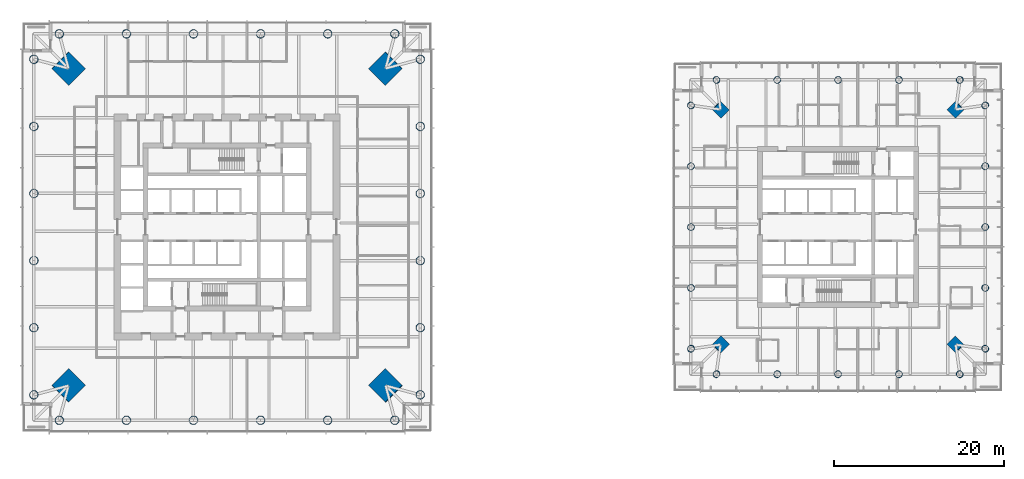
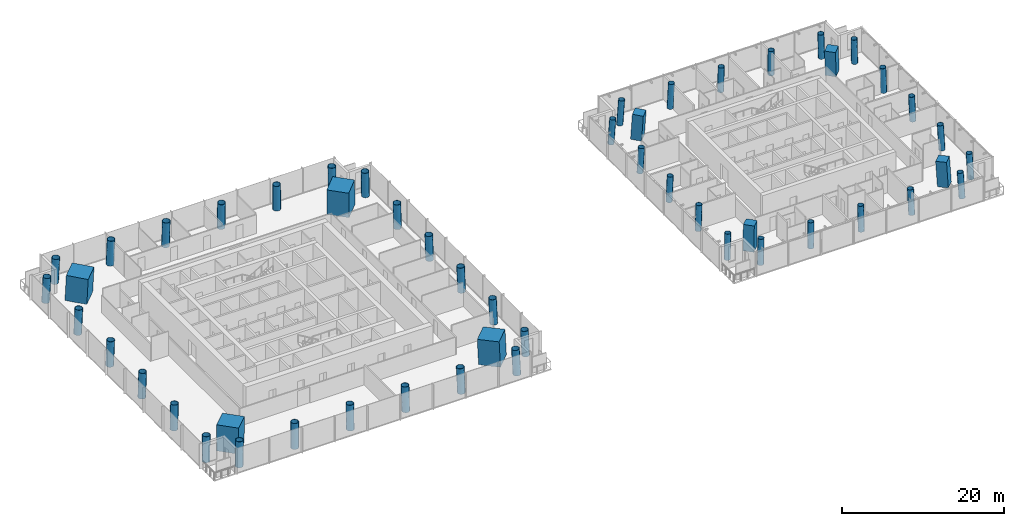
# One storey, part 1 of 21: 52 columns.
"""IFC4 building model written with IfcOpenShell, lengths in metres."""

from ifc_helpers import new_model, si_unit, direction, frame, origin, origin_2d, place, context, subcontext, project, spatial, rectangle, hollow_circle, extrude, material, material_profile, profile_set, type_object, element, save


model = new_model("IFC4")

# Units and contexts
model_context = context("Model", 3, precision=1e-05, world=origin(), true_north=direction((0.0, 1.0)))
body_context = subcontext(model_context, "Body", "Model", "MODEL_VIEW")
ifc_project = project(units=[si_unit("LENGTHUNIT", "METRE"), si_unit("AREAUNIT", "SQUARE_METRE"), si_unit("VOLUMEUNIT", "CUBIC_METRE"), si_unit("PLANEANGLEUNIT", "RADIAN"), si_unit("MASSUNIT", "GRAM", prefix="KILO")], contexts=[model_context])

# Site, building, storey
site_placement = place(None, origin())
site = spatial("IfcSite", under=ifc_project, at=site_placement, CompositionType="ELEMENT")
building_placement = place(site_placement, origin())
building = spatial("IfcBuilding", under=site, at=building_placement, Name="Ostroluk Exchange", CompositionType="ELEMENT")
storey_placement = place(building_placement, frame((0.0, 0.0, 59.0)))
storey = spatial("IfcBuildingStorey", under=building, at=storey_placement, Name="L14", CompositionType="ELEMENT", Elevation=59.0)

# Columns
ifc_material_1 = material(Name="Concrete C50/60", Category="concrete")
ifc_material_profile_1 = material_profile(ifc_material_1, rectangle(XDim=1.39990234375, YDim=1.39990234375, at=origin_2d()), Name="RC 1400x1400")
ifc_profile_set_1 = profile_set([ifc_material_profile_1], Name="Concrete C50/60")
column_type_1 = type_object("IfcColumnType", Name="Mega column RC 1400x1400", PredefinedType="COLUMN", material=ifc_profile_set_1)
for number, where, z_axis, x_axis, name in (
    (1, (130.862060546875, 59.862060546875, 0.0), (-0.043029647111, -0.043029647111, 0.998146732169), (0.707106781187, -0.707106781187, 0.0), "T2 mega column NE"),
    (2, (103.137939453125, 59.862060546875, 0.0), (0.043029647111, -0.043029647111, 0.998146732169), (0.707106781187, 0.707106781187, 0.0), "T2 mega column NW"),
    (3, (103.137939453125, 32.137939453125, 0.0), (0.043029647111, 0.043029647111, 0.998146732169), (-0.707106781187, 0.707106781187, 0.0), "T2 mega column SW"),
    (4, (130.862060546875, 32.137939453125, 0.0), (-0.043029647111, 0.043029647111, 0.998146732169), (-0.707106781187, -0.707106781187, 0.0), "T2 mega column SE"),
):
    element("IfcColumn", number, at=place(storey_placement, frame(where, z_axis=z_axis, x_axis=x_axis)), inside=storey, type_object=column_type_1, Name=name, PredefinedType="COLUMN", context=body_context, shape_type="SweptSolid", body=[
        extrude(rectangle(XDim=1.39990234375, YDim=1.39990234375, at=origin_2d()), origin(), (0.0, 0.0, 1.0), 3.80712890625),
    ])
ifc_material_2 = material(Name="Concrete C50/60", Category="concrete")
ifc_material_profile_2 = material_profile(ifc_material_2, rectangle(XDim=2.800048828125, YDim=2.800048828125, at=origin_2d()), Name="RC 2800x2800")
ifc_profile_set_2 = profile_set([ifc_material_profile_2], Name="Concrete C50/60")
column_type_2 = type_object("IfcColumnType", Name="Mega column RC 2800x2800", PredefinedType="COLUMN", material=ifc_profile_set_2)
for number, where, z_axis, x_axis, name in (
    (5, (63.685791015625, 64.685791015625, 0.0), (-0.031962158256, -0.031962158256, 0.998977898093), (0.707106781187, -0.707106781187, 0.0), "T1 mega column NE"),
    (6, (26.314208984375, 64.685791015625, 0.0), (0.031962158256, -0.031962158256, 0.998977898093), (0.707106781187, 0.707106781187, 0.0), "T1 mega column NW"),
    (7, (26.314208984375, 27.314208984375, 0.0), (0.031962158256, 0.031962158256, 0.998977898093), (-0.707106781187, 0.707106781187, 0.0), "T1 mega column SW"),
    (8, (63.685791015625, 27.314208984375, 0.0), (-0.031962158256, 0.031962158256, 0.998977898093), (-0.707106781187, -0.707106781187, 0.0), "T1 mega column SE"),
):
    element("IfcColumn", number, at=place(storey_placement, frame(where, z_axis=z_axis, x_axis=x_axis)), inside=storey, type_object=column_type_2, Name=name, PredefinedType="COLUMN", context=body_context, shape_type="SweptSolid", body=[
        extrude(rectangle(XDim=2.800048828125, YDim=2.800048828125, at=origin_2d()), origin(), (0.0, 0.0, 1.0), 3.803955078125),
    ])
ifc_material_3 = material(Name="Steel S460", Category="steel")
ifc_material_profile_3 = material_profile(ifc_material_3, hollow_circle(Radius=0.508056640625, WallThickness=0.0400390625, at=origin_2d()), Name="CHS 1016x40")
ifc_profile_set_3 = profile_set([ifc_material_profile_3], Name="Steel S460")
column_type_3 = type_object("IfcColumnType", Name="Perimeter column CHS 1016x40", PredefinedType="COLUMN", material=ifc_profile_set_3)
for number, where, z_axis, x_axis, name in (
    (9, (67.78564453125, 26.21435546875, 0.0), (-0.031898107953, 0.031898107953, 0.998981992539), (-0.707106781187, -0.707106781187, 0.0), "T1 east face column E0"),
    (10, (67.78564453125, 65.78564453125, 0.0), (-0.031898107953, -0.031898107953, 0.998981992539), (0.707106781187, -0.707106781187, 0.0), "T1 east face column E1"),
):
    element("IfcColumn", number, at=place(storey_placement, frame(where, z_axis=z_axis, x_axis=x_axis)), inside=storey, type_object=column_type_3, Name=name, PredefinedType="COLUMN", context=body_context, shape_type="SweptSolid", body=[
        extrude(hollow_circle(Radius=0.508056640625, WallThickness=0.0400390625, at=origin_2d()), origin(), (0.0, 0.0, 1.0), 3.803955078125),
    ])
column_1_placement = place(storey_placement, frame((67.78564453125, 34.128662109375, 0.0), z_axis=(-0.031908506785, 0.019132263625, 0.999307662176), x_axis=(-0.514241961696, -0.857645150882, 0.0)))
element("IfcColumn", 11, at=column_1_placement, inside=storey, type_object=column_type_3, Name="T1 east face column I1", PredefinedType="COLUMN", context=body_context, shape_type="SweptSolid", body=[
    extrude(hollow_circle(Radius=0.508056640625, WallThickness=0.0400390625, at=origin_2d()), origin(), (0.0, 0.0, 1.0), 3.802734375),
])
for number, where, z_axis, x_axis, name in (
    (12, (67.78564453125, 42.04296875, 0.0), (-0.031913703469, 0.006357055621, 0.999470411455), (-0.195357113251, -0.980732174603, 0.0), "T1 east face column I2"),
    (13, (67.78564453125, 49.95703125, 0.0), (-0.031913703469, -0.006357055621, 0.999470411455), (0.195357113251, -0.980732174603, 0.0), "T1 east face column I3"),
):
    element("IfcColumn", number, at=place(storey_placement, frame(where, z_axis=z_axis, x_axis=x_axis)), inside=storey, type_object=column_type_3, Name=name, PredefinedType="COLUMN", context=body_context, shape_type="SweptSolid", body=[
        extrude(hollow_circle(Radius=0.508056640625, WallThickness=0.0400390625, at=origin_2d()), origin(), (0.0, 0.0, 1.0), 3.802001953125),
    ])
column_2_placement = place(storey_placement, frame((67.78564453125, 57.871337890625, 0.0), z_axis=(-0.031908506785, -0.019132263625, 0.999307662176), x_axis=(0.514241961696, -0.857645150882, 0.0)))
element("IfcColumn", 14, at=column_2_placement, inside=storey, type_object=column_type_3, Name="T1 east face column I4", PredefinedType="COLUMN", context=body_context, shape_type="SweptSolid", body=[
    extrude(hollow_circle(Radius=0.508056640625, WallThickness=0.0400390625, at=origin_2d()), origin(), (0.0, 0.0, 1.0), 3.802734375),
])
for number, where, z_axis, x_axis, name in (
    (15, (64.78564453125, 68.78564453125, 0.0), (-0.031898107953, -0.031898107953, 0.998981992539), (0.707106781187, -0.707106781187, 0.0), "T1 north face column E0"),
    (16, (25.21435546875, 68.78564453125, 0.0), (0.031898107953, -0.031898107953, 0.998981992539), (0.707106781187, 0.707106781187, 0.0), "T1 north face column E1"),
):
    element("IfcColumn", number, at=place(storey_placement, frame(where, z_axis=z_axis, x_axis=x_axis)), inside=storey, type_object=column_type_3, Name=name, PredefinedType="COLUMN", context=body_context, shape_type="SweptSolid", body=[
        extrude(hollow_circle(Radius=0.508056640625, WallThickness=0.0400390625, at=origin_2d()), origin(), (0.0, 0.0, 1.0), 3.803955078125),
    ])
column_3_placement = place(storey_placement, frame((56.871337890625, 68.78564453125, 0.0), z_axis=(-0.019132263625, -0.031908506785, 0.999307662176), x_axis=(0.857645150882, -0.514241961696, 0.0)))
element("IfcColumn", 17, at=column_3_placement, inside=storey, type_object=column_type_3, Name="T1 north face column I1", PredefinedType="COLUMN", context=body_context, shape_type="SweptSolid", body=[
    extrude(hollow_circle(Radius=0.508056640625, WallThickness=0.0400390625, at=origin_2d()), origin(), (0.0, 0.0, 1.0), 3.802734375),
])
for number, where, z_axis, x_axis, name in (
    (18, (48.95703125, 68.78564453125, 0.0), (-0.006357055621, -0.031913703469, 0.999470411455), (0.980732174603, -0.195357113251, 0.0), "T1 north face column I2"),
    (19, (41.04296875, 68.78564453125, 0.0), (0.006357055621, -0.031913703469, 0.999470411455), (0.980732174603, 0.195357113251, 0.0), "T1 north face column I3"),
):
    element("IfcColumn", number, at=place(storey_placement, frame(where, z_axis=z_axis, x_axis=x_axis)), inside=storey, type_object=column_type_3, Name=name, PredefinedType="COLUMN", context=body_context, shape_type="SweptSolid", body=[
        extrude(hollow_circle(Radius=0.508056640625, WallThickness=0.0400390625, at=origin_2d()), origin(), (0.0, 0.0, 1.0), 3.802001953125),
    ])
column_4_placement = place(storey_placement, frame((33.128662109375, 68.78564453125, 0.0), z_axis=(0.019132263625, -0.031908506785, 0.999307662176), x_axis=(0.857645150882, 0.514241961696, 0.0)))
element("IfcColumn", 20, at=column_4_placement, inside=storey, type_object=column_type_3, Name="T1 north face column I4", PredefinedType="COLUMN", context=body_context, shape_type="SweptSolid", body=[
    extrude(hollow_circle(Radius=0.508056640625, WallThickness=0.0400390625, at=origin_2d()), origin(), (0.0, 0.0, 1.0), 3.802734375),
])
for number, where, z_axis, x_axis, name in (
    (21, (22.21435546875, 65.78564453125, 0.0), (0.031898107953, -0.031898107953, 0.998981992539), (0.707106781187, 0.707106781187, 0.0), "T1 west face column E0"),
    (22, (22.21435546875, 26.21435546875, 0.0), (0.031898107953, 0.031898107953, 0.998981992539), (-0.707106781187, 0.707106781187, 0.0), "T1 west face column E1"),
):
    element("IfcColumn", number, at=place(storey_placement, frame(where, z_axis=z_axis, x_axis=x_axis)), inside=storey, type_object=column_type_3, Name=name, PredefinedType="COLUMN", context=body_context, shape_type="SweptSolid", body=[
        extrude(hollow_circle(Radius=0.508056640625, WallThickness=0.0400390625, at=origin_2d()), origin(), (0.0, 0.0, 1.0), 3.803955078125),
    ])
column_5_placement = place(storey_placement, frame((22.21435546875, 57.871337890625, 0.0), z_axis=(0.031908506785, -0.019132263625, 0.999307662176), x_axis=(0.514241961696, 0.857645150882, 0.0)))
element("IfcColumn", 23, at=column_5_placement, inside=storey, type_object=column_type_3, Name="T1 west face column I1", PredefinedType="COLUMN", context=body_context, shape_type="SweptSolid", body=[
    extrude(hollow_circle(Radius=0.508056640625, WallThickness=0.0400390625, at=origin_2d()), origin(), (0.0, 0.0, 1.0), 3.802734375),
])
for number, where, z_axis, x_axis, name in (
    (24, (22.21435546875, 49.95703125, 0.0), (0.031913703469, -0.006357055621, 0.999470411455), (0.195357113251, 0.980732174603, 0.0), "T1 west face column I2"),
    (25, (22.21435546875, 42.04296875, 0.0), (0.031913703469, 0.006357055621, 0.999470411455), (-0.195357113251, 0.980732174603, 0.0), "T1 west face column I3"),
):
    element("IfcColumn", number, at=place(storey_placement, frame(where, z_axis=z_axis, x_axis=x_axis)), inside=storey, type_object=column_type_3, Name=name, PredefinedType="COLUMN", context=body_context, shape_type="SweptSolid", body=[
        extrude(hollow_circle(Radius=0.508056640625, WallThickness=0.0400390625, at=origin_2d()), origin(), (0.0, 0.0, 1.0), 3.802001953125),
    ])
column_6_placement = place(storey_placement, frame((22.21435546875, 34.128662109375, 0.0), z_axis=(0.031908506785, 0.019132263625, 0.999307662176), x_axis=(-0.514241961696, 0.857645150882, 0.0)))
element("IfcColumn", 26, at=column_6_placement, inside=storey, type_object=column_type_3, Name="T1 west face column I4", PredefinedType="COLUMN", context=body_context, shape_type="SweptSolid", body=[
    extrude(hollow_circle(Radius=0.508056640625, WallThickness=0.0400390625, at=origin_2d()), origin(), (0.0, 0.0, 1.0), 3.802734375),
])
for number, where, z_axis, x_axis, name in (
    (27, (25.21435546875, 23.21435546875, 0.0), (0.031898107953, 0.031898107953, 0.998981992539), (-0.707106781187, 0.707106781187, 0.0), "T1 south face column E0"),
    (28, (64.78564453125, 23.21435546875, 0.0), (-0.031898107953, 0.031898107953, 0.998981992539), (-0.707106781187, -0.707106781187, 0.0), "T1 south face column E1"),
):
    element("IfcColumn", number, at=place(storey_placement, frame(where, z_axis=z_axis, x_axis=x_axis)), inside=storey, type_object=column_type_3, Name=name, PredefinedType="COLUMN", context=body_context, shape_type="SweptSolid", body=[
        extrude(hollow_circle(Radius=0.508056640625, WallThickness=0.0400390625, at=origin_2d()), origin(), (0.0, 0.0, 1.0), 3.803955078125),
    ])
column_7_placement = place(storey_placement, frame((33.128662109375, 23.21435546875, 0.0), z_axis=(0.019132263625, 0.031908506785, 0.999307662176), x_axis=(-0.857645150882, 0.514241961696, 0.0)))
element("IfcColumn", 29, at=column_7_placement, inside=storey, type_object=column_type_3, Name="T1 south face column I1", PredefinedType="COLUMN", context=body_context, shape_type="SweptSolid", body=[
    extrude(hollow_circle(Radius=0.508056640625, WallThickness=0.0400390625, at=origin_2d()), origin(), (0.0, 0.0, 1.0), 3.802734375),
])
for number, where, z_axis, x_axis, name in (
    (30, (41.04296875, 23.21435546875, 0.0), (0.006357055621, 0.031913703469, 0.999470411455), (-0.980732174603, 0.195357113251, 0.0), "T1 south face column I2"),
    (31, (48.95703125, 23.21435546875, 0.0), (-0.006357055621, 0.031913703469, 0.999470411455), (-0.980732174603, -0.195357113251, 0.0), "T1 south face column I3"),
):
    element("IfcColumn", number, at=place(storey_placement, frame(where, z_axis=z_axis, x_axis=x_axis)), inside=storey, type_object=column_type_3, Name=name, PredefinedType="COLUMN", context=body_context, shape_type="SweptSolid", body=[
        extrude(hollow_circle(Radius=0.508056640625, WallThickness=0.0400390625, at=origin_2d()), origin(), (0.0, 0.0, 1.0), 3.802001953125),
    ])
column_8_placement = place(storey_placement, frame((56.871337890625, 23.21435546875, 0.0), z_axis=(-0.019132263625, 0.031908506785, 0.999307662176), x_axis=(-0.857645150882, -0.514241961696, 0.0)))
element("IfcColumn", 32, at=column_8_placement, inside=storey, type_object=column_type_3, Name="T1 south face column I4", PredefinedType="COLUMN", context=body_context, shape_type="SweptSolid", body=[
    extrude(hollow_circle(Radius=0.508056640625, WallThickness=0.0400390625, at=origin_2d()), origin(), (0.0, 0.0, 1.0), 3.802734375),
])
ifc_material_4 = material(Name="Steel S460", Category="steel")
ifc_material_profile_4 = material_profile(ifc_material_4, hollow_circle(Radius=0.406494140625, WallThickness=0.030029296875, at=origin_2d()), Name="CHS 813x30")
ifc_profile_set_4 = profile_set([ifc_material_profile_4], Name="Steel S460")
column_type_4 = type_object("IfcColumnType", Name="Perimeter column CHS 813x30", PredefinedType="COLUMN", material=ifc_profile_set_4)
for number, where, z_axis, x_axis, name in (
    (33, (134.362060546875, 31.637939453125, 0.0), (-0.043029647111, 0.043029647111, 0.998146732169), (-0.707106781187, -0.707106781187, 0.0), "T2 east face column E0"),
    (34, (134.362060546875, 60.362060546875, 0.0), (-0.043029647111, -0.043029647111, 0.998146732169), (0.707106781187, -0.707106781187, 0.0), "T2 east face column E1"),
):
    element("IfcColumn", number, at=place(storey_placement, frame(where, z_axis=z_axis, x_axis=x_axis)), inside=storey, type_object=column_type_4, Name=name, PredefinedType="COLUMN", context=body_context, shape_type="SweptSolid", body=[
        extrude(hollow_circle(Radius=0.406494140625, WallThickness=0.030029296875, at=origin_2d()), origin(), (0.0, 0.0, 1.0), 3.80712890625),
    ])
column_9_placement = place(storey_placement, frame((134.362060546875, 38.81884765625, 0.0), z_axis=(-0.043059525333, 0.021561848751, 0.998839808957), x_axis=(-0.44774654769, -0.894160516368, 0.0)))
element("IfcColumn", 35, at=column_9_placement, inside=storey, type_object=column_type_4, Name="T2 east face column I1", PredefinedType="COLUMN", context=body_context, shape_type="SweptSolid", body=[
    extrude(hollow_circle(Radius=0.406494140625, WallThickness=0.030029296875, at=origin_2d()), origin(), (0.0, 0.0, 1.0), 3.804443359375),
])
column_10_placement = place(storey_placement, frame((134.362060546875, 46.0, 0.0), z_axis=(-0.043069538298, 0.0, 0.999072076915), x_axis=(0.0, -1.0, 0.0)))
element("IfcColumn", 36, at=column_10_placement, inside=storey, type_object=column_type_4, Name="T2 east face column I2", PredefinedType="COLUMN", context=body_context, shape_type="SweptSolid", body=[
    extrude(hollow_circle(Radius=0.406494140625, WallThickness=0.030029296875, at=origin_2d()), origin(), (0.0, 0.0, 1.0), 3.803466796875),
])
column_11_placement = place(storey_placement, frame((134.362060546875, 53.18115234375, 0.0), z_axis=(-0.043059525333, -0.021561848751, 0.998839808957), x_axis=(0.44774654769, -0.894160516368, 0.0)))
element("IfcColumn", 37, at=column_11_placement, inside=storey, type_object=column_type_4, Name="T2 east face column I3", PredefinedType="COLUMN", context=body_context, shape_type="SweptSolid", body=[
    extrude(hollow_circle(Radius=0.406494140625, WallThickness=0.030029296875, at=origin_2d()), origin(), (0.0, 0.0, 1.0), 3.804443359375),
])
for number, where, z_axis, x_axis, name in (
    (38, (131.362060546875, 63.362060546875, 0.0), (-0.043029647111, -0.043029647111, 0.998146732169), (0.707106781187, -0.707106781187, 0.0), "T2 north face column E0"),
    (39, (102.637939453125, 63.362060546875, 0.0), (0.043029647111, -0.043029647111, 0.998146732169), (0.707106781187, 0.707106781187, 0.0), "T2 north face column E1"),
):
    element("IfcColumn", number, at=place(storey_placement, frame(where, z_axis=z_axis, x_axis=x_axis)), inside=storey, type_object=column_type_4, Name=name, PredefinedType="COLUMN", context=body_context, shape_type="SweptSolid", body=[
        extrude(hollow_circle(Radius=0.406494140625, WallThickness=0.030029296875, at=origin_2d()), origin(), (0.0, 0.0, 1.0), 3.80712890625),
    ])
column_12_placement = place(storey_placement, frame((124.18115234375, 63.362060546875, 0.0), z_axis=(-0.021561848751, -0.043059525333, 0.998839808957), x_axis=(0.894160516368, -0.44774654769, 0.0)))
element("IfcColumn", 40, at=column_12_placement, inside=storey, type_object=column_type_4, Name="T2 north face column I1", PredefinedType="COLUMN", context=body_context, shape_type="SweptSolid", body=[
    extrude(hollow_circle(Radius=0.406494140625, WallThickness=0.030029296875, at=origin_2d()), origin(), (0.0, 0.0, 1.0), 3.804443359375),
])
column_13_placement = place(storey_placement, frame((117.0, 63.362060546875, 0.0), z_axis=(0.0, -0.043069538298, 0.999072076915), x_axis=(1.0, 0.0, 0.0)))
element("IfcColumn", 41, at=column_13_placement, inside=storey, type_object=column_type_4, Name="T2 north face column I2", PredefinedType="COLUMN", context=body_context, shape_type="SweptSolid", body=[
    extrude(hollow_circle(Radius=0.406494140625, WallThickness=0.030029296875, at=origin_2d()), origin(), (0.0, 0.0, 1.0), 3.803466796875),
])
column_14_placement = place(storey_placement, frame((109.81884765625, 63.362060546875, 0.0), z_axis=(0.021561848751, -0.043059525333, 0.998839808957), x_axis=(0.894160516368, 0.44774654769, 0.0)))
element("IfcColumn", 42, at=column_14_placement, inside=storey, type_object=column_type_4, Name="T2 north face column I3", PredefinedType="COLUMN", context=body_context, shape_type="SweptSolid", body=[
    extrude(hollow_circle(Radius=0.406494140625, WallThickness=0.030029296875, at=origin_2d()), origin(), (0.0, 0.0, 1.0), 3.804443359375),
])
for number, where, z_axis, x_axis, name in (
    (43, (99.637939453125, 60.362060546875, 0.0), (0.043029647111, -0.043029647111, 0.998146732169), (0.707106781187, 0.707106781187, 0.0), "T2 west face column E0"),
    (44, (99.637939453125, 31.637939453125, 0.0), (0.043029647111, 0.043029647111, 0.998146732169), (-0.707106781187, 0.707106781187, 0.0), "T2 west face column E1"),
):
    element("IfcColumn", number, at=place(storey_placement, frame(where, z_axis=z_axis, x_axis=x_axis)), inside=storey, type_object=column_type_4, Name=name, PredefinedType="COLUMN", context=body_context, shape_type="SweptSolid", body=[
        extrude(hollow_circle(Radius=0.406494140625, WallThickness=0.030029296875, at=origin_2d()), origin(), (0.0, 0.0, 1.0), 3.80712890625),
    ])
column_15_placement = place(storey_placement, frame((99.637939453125, 53.18115234375, 0.0), z_axis=(0.043059525333, -0.021561848751, 0.998839808957), x_axis=(0.44774654769, 0.894160516368, 0.0)))
element("IfcColumn", 45, at=column_15_placement, inside=storey, type_object=column_type_4, Name="T2 west face column I1", PredefinedType="COLUMN", context=body_context, shape_type="SweptSolid", body=[
    extrude(hollow_circle(Radius=0.406494140625, WallThickness=0.030029296875, at=origin_2d()), origin(), (0.0, 0.0, 1.0), 3.804443359375),
])
column_16_placement = place(storey_placement, frame((99.637939453125, 46.0, 0.0), z_axis=(0.043069538298, 0.0, 0.999072076915), x_axis=(0.0, 1.0, 0.0)))
element("IfcColumn", 46, at=column_16_placement, inside=storey, type_object=column_type_4, Name="T2 west face column I2", PredefinedType="COLUMN", context=body_context, shape_type="SweptSolid", body=[
    extrude(hollow_circle(Radius=0.406494140625, WallThickness=0.030029296875, at=origin_2d()), origin(), (0.0, 0.0, 1.0), 3.803466796875),
])
column_17_placement = place(storey_placement, frame((99.637939453125, 38.81884765625, 0.0), z_axis=(0.043059525333, 0.021561848751, 0.998839808957), x_axis=(-0.44774654769, 0.894160516368, 0.0)))
element("IfcColumn", 47, at=column_17_placement, inside=storey, type_object=column_type_4, Name="T2 west face column I3", PredefinedType="COLUMN", context=body_context, shape_type="SweptSolid", body=[
    extrude(hollow_circle(Radius=0.406494140625, WallThickness=0.030029296875, at=origin_2d()), origin(), (0.0, 0.0, 1.0), 3.804443359375),
])
for number, where, z_axis, x_axis, name in (
    (48, (102.637939453125, 28.637939453125, 0.0), (0.043029647111, 0.043029647111, 0.998146732169), (-0.707106781187, 0.707106781187, 0.0), "T2 south face column E0"),
    (49, (131.362060546875, 28.637939453125, 0.0), (-0.043029647111, 0.043029647111, 0.998146732169), (-0.707106781187, -0.707106781187, 0.0), "T2 south face column E1"),
):
    element("IfcColumn", number, at=place(storey_placement, frame(where, z_axis=z_axis, x_axis=x_axis)), inside=storey, type_object=column_type_4, Name=name, PredefinedType="COLUMN", context=body_context, shape_type="SweptSolid", body=[
        extrude(hollow_circle(Radius=0.406494140625, WallThickness=0.030029296875, at=origin_2d()), origin(), (0.0, 0.0, 1.0), 3.80712890625),
    ])
column_18_placement = place(storey_placement, frame((109.81884765625, 28.637939453125, 0.0), z_axis=(0.021561848751, 0.043059525333, 0.998839808957), x_axis=(-0.894160516368, 0.44774654769, 0.0)))
element("IfcColumn", 50, at=column_18_placement, inside=storey, type_object=column_type_4, Name="T2 south face column I1", PredefinedType="COLUMN", context=body_context, shape_type="SweptSolid", body=[
    extrude(hollow_circle(Radius=0.406494140625, WallThickness=0.030029296875, at=origin_2d()), origin(), (0.0, 0.0, 1.0), 3.804443359375),
])
column_19_placement = place(storey_placement, frame((117.0, 28.637939453125, 0.0), z_axis=(0.0, 0.043069538298, 0.999072076915), x_axis=(-1.0, 0.0, 0.0)))
element("IfcColumn", 51, at=column_19_placement, inside=storey, type_object=column_type_4, Name="T2 south face column I2", PredefinedType="COLUMN", context=body_context, shape_type="SweptSolid", body=[
    extrude(hollow_circle(Radius=0.406494140625, WallThickness=0.030029296875, at=origin_2d()), origin(), (0.0, 0.0, 1.0), 3.803466796875),
])
column_20_placement = place(storey_placement, frame((124.18115234375, 28.637939453125, 0.0), z_axis=(-0.021561848751, 0.043059525333, 0.998839808957), x_axis=(-0.894160516368, -0.44774654769, 0.0)))
element("IfcColumn", 52, at=column_20_placement, inside=storey, type_object=column_type_4, Name="T2 south face column I3", PredefinedType="COLUMN", context=body_context, shape_type="SweptSolid", body=[
    extrude(hollow_circle(Radius=0.406494140625, WallThickness=0.030029296875, at=origin_2d()), origin(), (0.0, 0.0, 1.0), 3.804443359375),
])

save(model, "model.ifc")
